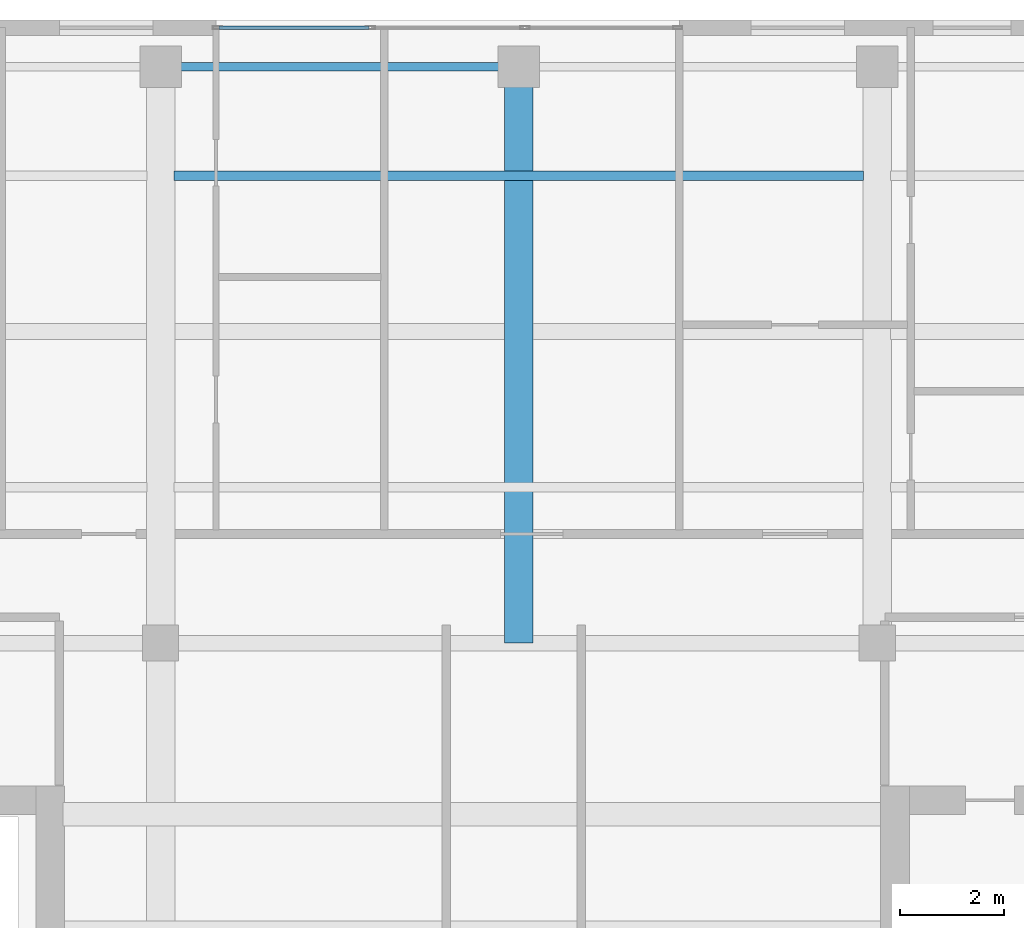
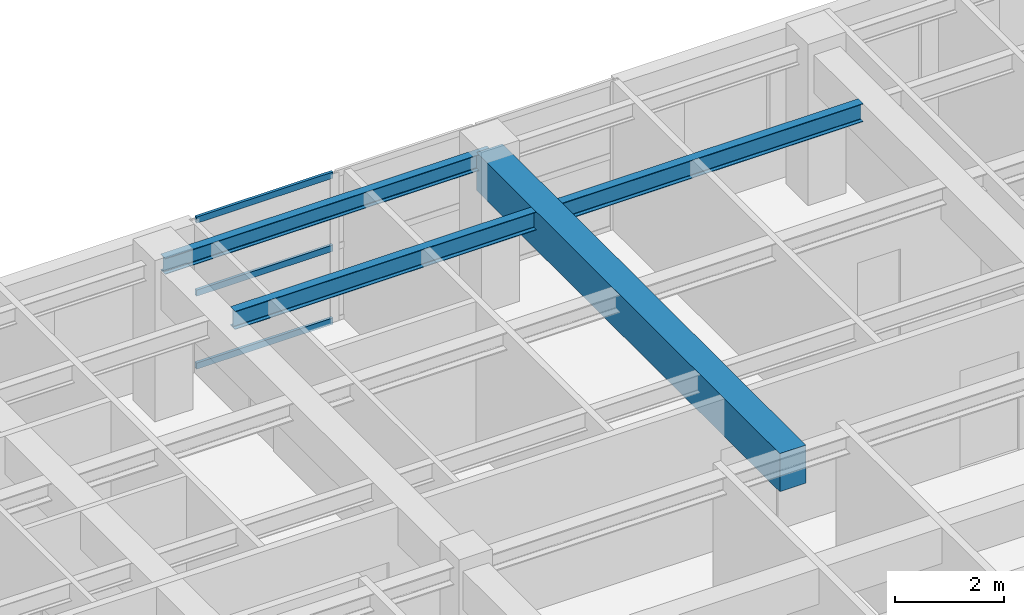
# One storey, part 14 of 21: 3 beams, 3 members, 1 element without a shape of its own.
"""IFC4 building model written with IfcOpenShell, lengths in metres."""

import ifcopenshell
import ifcopenshell.guid

model = None  # the IFC model being written
_history = None  # IfcOwnerHistory: only IFC2X3 demands one
_inside = {}  # id of a spatial element -> (the spatial element, [elements in it])
_under = {}  # id of a project, library or spatial element -> (it, [spatial elements below it])
_declared = {}  # id of a project -> (the project, [libraries it declares])
_typed = {}  # id of a type object -> (the type object, [elements of that type])
_made_of = {}  # id of a material, layer set ... -> (it, [elements and type objects made of it])


def new_model(schema):
    """Start an empty IFC model of exactly this schema.

    Asked for "IFC4X3", IfcOpenShell would pick the latest addendum, in which some entities
    have other attributes; the version numbers below select the first issue.
    IFC2X3 requires an IfcOwnerHistory on every rooted entity: one is made here for all.
    """
    global model, _history
    if schema == "IFC4X3":
        model = ifcopenshell.file(schema_version=(4, 3, 0, 0))
    else:
        model = ifcopenshell.file(schema=schema)
    _inside.clear()
    _under.clear()
    _declared.clear()
    _typed.clear()
    _made_of.clear()
    _history = None
    if model.schema == "IFC2X3":
        org = make("IfcOrganization", Name="unknown")
        user = make(
            "IfcPersonAndOrganization",
            ThePerson=make("IfcPerson", FamilyName="unknown"),
            TheOrganization=org,
        )
        app = make(
            "IfcApplication",
            ApplicationDeveloper=org,
            Version="unknown",
            ApplicationFullName="unknown",
            ApplicationIdentifier="unknown",
        )
        _history = make(
            "IfcOwnerHistory",
            OwningUser=user,
            OwningApplication=app,
            ChangeAction="ADDED",
            CreationDate=0,
        )
    return model


def make(cls, **values):
    """One entity of the class cls with the attributes given. An attribute that is None is left unset."""
    return model.create_entity(
        cls, **{name: value for name, value in values.items() if value is not None}
    )


def rooted(cls, **values):
    """An entity with a GlobalId (a new one), such as an element, a storey or a relation."""
    return make(cls, GlobalId=ifcopenshell.guid.new(), OwnerHistory=_history, **values)


def si_unit(unit_type, name, prefix=None):
    """IfcSIUnit, for example si_unit("LENGTHUNIT", "METRE", prefix="MILLI")."""
    return make("IfcSIUnit", UnitType=unit_type, Prefix=prefix, Name=name)


def assignment(units):
    """IfcUnitAssignment: the units of a project."""
    return None if units is None else make("IfcUnitAssignment", Units=units)


def point(xyz):
    """IfcCartesianPoint."""
    return None if xyz is None else make("IfcCartesianPoint", Coordinates=xyz)


def direction(xyz):
    """IfcDirection."""
    return None if xyz is None else make("IfcDirection", DirectionRatios=xyz)


def frame(location, z_axis=None, x_axis=None):
    """IfcAxis2Placement3D, a coordinate frame: its origin and axes. An axis left out is left unset."""
    return make(
        "IfcAxis2Placement3D",
        Location=point(location),
        Axis=direction(z_axis),
        RefDirection=direction(x_axis),
    )


def frame_2d(location, x_axis=None):
    """IfcAxis2Placement2D, a coordinate frame in the plane: its origin and x axis."""
    return make(
        "IfcAxis2Placement2D", Location=point(location), RefDirection=direction(x_axis)
    )


def origin():
    """The frame at (0, 0, 0) with its axes left unset."""
    return frame((0.0, 0.0, 0.0))


def origin_2d():
    """The frame at (0, 0) in the plane with its x axis left unset."""
    return frame_2d((0.0, 0.0))


def place(relative_to, where):
    """IfcLocalPlacement: puts the frame where relative to a parent placement (None: the world)."""
    return make(
        "IfcLocalPlacement", PlacementRelTo=relative_to, RelativePlacement=where
    )


def context(
    kind, dimensions, precision=None, world=None, true_north=None, identifier=None
):
    """IfcGeometricRepresentationContext, for example the 3D "Model" context."""
    return make(
        "IfcGeometricRepresentationContext",
        ContextIdentifier=identifier,
        ContextType=kind,
        CoordinateSpaceDimension=dimensions,
        Precision=precision,
        WorldCoordinateSystem=world,
        TrueNorth=true_north,
    )


def subcontext(parent, identifier, kind, view, scale=None):
    """IfcGeometricRepresentationSubContext, for example "Body" below "Model"."""
    return make(
        "IfcGeometricRepresentationSubContext",
        ContextIdentifier=identifier,
        ContextType=kind,
        ParentContext=parent,
        TargetScale=scale,
        TargetView=view,
    )


def project(units=None, contexts=None):
    """IfcProject with its units and contexts."""
    return rooted(
        "IfcProject",
        Name="project",
        RepresentationContexts=contexts,
        UnitsInContext=assignment(units),
    )


def spatial(cls, under=None, at=None, **own):
    """A site, building, storey or space (cls), placed at a placement, below another one or the project."""
    s = rooted(cls, ObjectPlacement=at, **own)
    if under is not None:
        _under.setdefault(under.id(), (under, []))[1].append(s)
    return s


def profile(cls, at=None, kind="AREA", **sizes):
    """A parametric profile (cls). Its sizes go by their IFC names, for example OverallWidth=200.0."""
    return make(cls, ProfileType=kind, Position=at, **sizes)


def rectangle(**sizes):
    """IfcRectangleProfileDef."""
    return profile("IfcRectangleProfileDef", **sizes)


def hollow_rectangle(**sizes):
    """IfcRectangleHollowProfileDef."""
    return profile("IfcRectangleHollowProfileDef", **sizes)


def i_section(**sizes):
    """IfcIShapeProfileDef."""
    return profile("IfcIShapeProfileDef", **sizes)


def extrude(swept, where, along, depth):
    """IfcExtrudedAreaSolid: the profile swept, set in the frame where, extruded along a direction by depth."""
    return make(
        "IfcExtrudedAreaSolid",
        SweptArea=swept,
        Position=where,
        ExtrudedDirection=direction(along),
        Depth=depth,
    )


def shape(context_of_items, identifier, shape_type, items):
    """IfcShapeRepresentation: the items that make up one representation, for example the "Body"."""
    return make(
        "IfcShapeRepresentation",
        ContextOfItems=context_of_items,
        RepresentationIdentifier=identifier,
        RepresentationType=shape_type,
        Items=items,
    )


def source(mapping_origin, context_of_items, identifier, shape_type, items):
    """IfcRepresentationMap: a shape defined once, which mapped items show again and again."""
    return make(
        "IfcRepresentationMap",
        MappingOrigin=mapping_origin,
        MappedRepresentation=shape(context_of_items, identifier, shape_type, items),
    )


def transform(
    local_origin,
    x_axis=None,
    y_axis=None,
    z_axis=None,
    scale=None,
    scale2=None,
    scale3=None,
    uniform=True,
):
    """IfcCartesianTransformationOperator3D, or its non-uniform kind. x_axis, y_axis, z_axis: its Axis1, 2, 3."""
    if uniform:
        return make(
            "IfcCartesianTransformationOperator3D",
            Axis1=direction(x_axis),
            Axis2=direction(y_axis),
            LocalOrigin=point(local_origin),
            Scale=scale,
            Axis3=direction(z_axis),
        )
    return make(
        "IfcCartesianTransformationOperator3DnonUniform",
        Axis1=direction(x_axis),
        Axis2=direction(y_axis),
        LocalOrigin=point(local_origin),
        Scale=scale,
        Axis3=direction(z_axis),
        Scale2=scale2,
        Scale3=scale3,
    )


def mapped(mapping_source, mapping_target):
    """IfcMappedItem: shows the shape of a source again, moved by a transform."""
    return make(
        "IfcMappedItem", MappingSource=mapping_source, MappingTarget=mapping_target
    )


def material(Name=None, Category=None):
    """IfcMaterial."""
    return make("IfcMaterial", Name=Name, Category=Category)


def layer(
    of_material, thickness, ventilated=None, Name=None, Category=None, Priority=None
):
    """IfcMaterialLayer: one layer of a wall or slab, of a material (None: an air gap)."""
    return make(
        "IfcMaterialLayer",
        Material=of_material,
        LayerThickness=thickness,
        IsVentilated=ventilated,
        Name=Name,
        Category=Category,
        Priority=Priority,
    )


def layer_set(layers, Name=None):
    """IfcMaterialLayerSet."""
    return make("IfcMaterialLayerSet", MaterialLayers=layers, LayerSetName=Name)


def material_profile(
    of_material, cross_section, Name=None, Category=None, Priority=None
):
    """IfcMaterialProfile: a cross section and its material."""
    return make(
        "IfcMaterialProfile",
        Name=Name,
        Material=of_material,
        Profile=cross_section,
        Priority=Priority,
        Category=Category,
    )


def profile_set(profiles, Name=None, composite=None):
    """IfcMaterialProfileSet."""
    return make(
        "IfcMaterialProfileSet",
        Name=Name,
        MaterialProfiles=profiles,
        CompositeProfile=composite,
    )


def made_of(thing, what):
    """Note that an element or type object is made of a material, layer set ...; save() writes the relation."""
    if what is not None:
        _made_of.setdefault(what.id(), (what, []))[1].append(thing)
    return thing


def type_object(cls, material=None, **own):
    """A type object (cls), such as IfcWallType, which elements share."""
    return made_of(rooted(cls, **own), material)


def element(
    cls,
    number,
    at=None,
    inside=None,
    cuts=None,
    type_object=None,
    material=None,
    context=None,
    identifier="Body",
    shape_type=None,
    held_by="IfcProductDefinitionShape",
    body=None,
    shapes=None,
    **own,
):
    """One element of the class cls, such as IfcWall. Its Tag is "e" and its number.

    at: its placement. inside: the storey or other place that contains it. cuts: it is an
    opening in that element (IfcRelVoidsElement). A single representation is given by context,
    identifier, shape_type and body (its items); several are given by shapes. held_by: the class
    of the entity that holds the representations. save() writes the other relations.
    """
    e = rooted(cls, Tag="e%d" % number, ObjectPlacement=at, **own)
    if body is not None:
        shapes = [shape(context, identifier, shape_type, body)]
    if shapes is not None:
        e.Representation = make(held_by, Representations=shapes)
    if inside is not None:
        _inside.setdefault(inside.id(), (inside, []))[1].append(e)
    if cuts is not None:
        rooted(
            "IfcRelVoidsElement", RelatingBuildingElement=cuts, RelatedOpeningElement=e
        )
    if type_object is not None:
        _typed.setdefault(type_object.id(), (type_object, []))[1].append(e)
    return made_of(e, material)


def aggregate(whole, parts):
    """IfcRelAggregates: a whole, such as a stair, and the parts it consists of."""
    return rooted("IfcRelAggregates", RelatingObject=whole, RelatedObjects=parts)


def save(model, path):
    """Write the relations noted so far, then the file.

    IfcRelAggregates (storeys below a building ...), IfcRelContainedInSpatialStructure (elements
    in a storey), IfcRelDefinesByType, IfcRelAssociatesMaterial and IfcRelDeclares: one each for
    every whole, place, type object, material and project.
    """
    for whole, parts in _under.values():
        aggregate(whole, parts)
    for where, things in _inside.values():
        rooted(
            "IfcRelContainedInSpatialStructure",
            RelatedElements=things,
            RelatingStructure=where,
        )
    for kind, things in _typed.values():
        rooted("IfcRelDefinesByType", RelatedObjects=things, RelatingType=kind)
    for what, things in _made_of.values():
        rooted("IfcRelAssociatesMaterial", RelatedObjects=things, RelatingMaterial=what)
    for by, libraries in _declared.values():
        rooted("IfcRelDeclares", RelatingContext=by, RelatedDefinitions=libraries)
    model.write(path)


model = new_model("IFC4")

# Units and contexts
model_context = context("Model", 3, precision=1e-05, world=origin(), true_north=direction((0.0, 1.0)))
body_context = subcontext(model_context, "Body", "Model", "MODEL_VIEW")
ifc_project = project(units=[si_unit("LENGTHUNIT", "METRE"), si_unit("AREAUNIT", "SQUARE_METRE"), si_unit("VOLUMEUNIT", "CUBIC_METRE"), si_unit("PLANEANGLEUNIT", "RADIAN"), si_unit("MASSUNIT", "GRAM", prefix="KILO")], contexts=[model_context])

# Site, building, storey
site_placement = place(None, origin())
site = spatial("IfcSite", under=ifc_project, at=site_placement, CompositionType="ELEMENT")
building_placement = place(site_placement, origin())
building = spatial("IfcBuilding", under=site, at=building_placement, Name="Khoralis Quay Care Tower", CompositionType="ELEMENT")
storey_placement = place(building_placement, frame((0.0, 0.0, 267.300048828125)))
storey = spatial("IfcBuildingStorey", under=building, at=storey_placement, Name="L70", CompositionType="ELEMENT", Elevation=267.300048828125)

# Beams
ifc_material_1 = material(Name="Concrete C50/60", Category="concrete")
ifc_material_profile_1 = material_profile(ifc_material_1, rectangle(XDim=0.550048828125, YDim=0.85009765625, at=origin_2d()), Name="Concrete C50/60")
ifc_profile_set_1 = profile_set([ifc_material_profile_1], Name="Concrete C50/60")
beam_type_1 = type_object("IfcBeamType", Name="BM-RC550X850", PredefinedType="BEAM", material=ifc_profile_set_1)
shared_shape_1 = source(origin(), body_context, "Body", "SweptSolid", [
    extrude(rectangle(XDim=0.550048828125, YDim=0.85009765625, at=origin_2d()), origin(), (0.0, 0.0, 1.0), 11.10009765625),
])
beam_1_placement = place(storey_placement, frame((24.0, 30.0, 2.89501953125), z_axis=(0.0, 1.0, 0.0), x_axis=(-1.0, 0.0, 0.0)))
element("IfcBeam", 1, at=beam_1_placement, inside=storey, type_object=beam_type_1, Name="BM-TGYN-L70-240", PredefinedType="BEAM", context=body_context, shape_type="MappedRepresentation", body=[
    mapped(shared_shape_1, transform((0.0, 0.0, 0.0), scale=1.0)),
])
ifc_material_2 = material(Name="Steel S355", Category="steel")
ifc_material_profile_2 = material_profile(ifc_material_2, i_section(OverallWidth=0.169921875, OverallDepth=0.360107421875, WebThickness=0.008056640625, FlangeThickness=0.0126953125, FilletRadius=0.01806640625, at=origin_2d()), Name="Steel S355")
ifc_profile_set_2 = profile_set([ifc_material_profile_2], Name="Steel S355")
beam_type_2 = type_object("IfcBeamType", Name="BM-IPE360", PredefinedType="SPANDREL", material=ifc_profile_set_2)
shared_shape_2 = source(origin(), body_context, "Body", "SweptSolid", [
    extrude(i_section(OverallWidth=0.169921875, OverallDepth=0.360107421875, WebThickness=0.008056640625, FlangeThickness=0.0126953125, FilletRadius=0.01806640625, at=origin_2d()), origin(), (0.0, 0.0, 1.0), 6.89990234375),
])
beam_2_placement = place(storey_placement, frame((17.10009765625, 41.10009765625, 3.139892578125), z_axis=(1.0, 0.0, 0.0), x_axis=(0.0, 1.0, 0.0)))
element("IfcBeam", 2, at=beam_2_placement, inside=storey, type_object=beam_type_2, Name="BM-TSP-L70-06", PredefinedType="SPANDREL", context=body_context, shape_type="MappedRepresentation", body=[
    mapped(shared_shape_2, transform((0.0, 0.0, 0.0), scale=1.0)),
])
ifc_material_profile_3 = material_profile(ifc_material_2, i_section(OverallWidth=0.177978515625, OverallDepth=0.406982421875, WebThickness=0.0078125, FlangeThickness=0.0126953125, FilletRadius=0.012939453125, at=origin_2d()), Name="Steel S355")
ifc_profile_set_3 = profile_set([ifc_material_profile_3], Name="Steel S355")
beam_type_3 = type_object("IfcBeamType", Name="BM-W410X60", PredefinedType="JOIST", material=ifc_profile_set_3)
shared_shape_3 = source(origin(), body_context, "Body", "SweptSolid", [
    extrude(i_section(OverallWidth=0.177978515625, OverallDepth=0.406982421875, WebThickness=0.0078125, FlangeThickness=0.0126953125, FilletRadius=0.012939453125, at=origin_2d()), origin(), (0.0, 0.0, 1.0), 13.27392578125),
])
beam_3_placement = place(storey_placement, frame((17.363037109375, 39.0, 3.116455078125), z_axis=(1.0, 0.0, 0.0), x_axis=(0.0, 1.0, 0.0)))
element("IfcBeam", 3, at=beam_3_placement, inside=storey, type_object=beam_type_3, Name="BM-TJS-L70-29", PredefinedType="JOIST", context=body_context, shape_type="MappedRepresentation", body=[
    mapped(shared_shape_3, transform((0.0, 0.0, 0.0), scale=1.0)),
])

# Curtain wall, members
ifc_material_3 = material(Name="Pale anodised aluminium", Category="aluminium")
ifc_layer = layer(ifc_material_3, 0.159912109375)
ifc_layer_set = layer_set([ifc_layer], Name="Pale anodised aluminium")
curtain_wall_type = type_object("IfcCurtainWallType", Name="CW-SYS-Z3", PredefinedType="NOTDEFINED", material=ifc_layer_set)
curtain_wall_placement = place(storey_placement, origin())
curtain_wall = element("IfcCurtainWall", 4, at=curtain_wall_placement, inside=storey, type_object=curtain_wall_type, Name="L70 Unitised Curtain Wall CW-L70-P1-E10", PredefinedType="NOTDEFINED")
ifc_material_profile_4 = material_profile(ifc_material_3, hollow_rectangle(XDim=0.06005859375, YDim=0.139892578125, WallThickness=0.00390625, at=origin_2d()), Name="Pale anodised aluminium")
ifc_profile_set_4 = profile_set([ifc_material_profile_4], Name="Pale anodised aluminium")
member_type = type_object("IfcMemberType", Name="CW-TRN-140", PredefinedType="USERDEFINED", material=ifc_profile_set_4)
shared_shape_4 = source(origin(), body_context, "Body", "SweptSolid", [
    extrude(hollow_rectangle(XDim=0.06005859375, YDim=0.139892578125, WallThickness=0.00390625, at=origin_2d()), origin(), (0.0, 0.0, 1.0), 2.88427734375),
])
member_1_placement = place(storey_placement, frame((21.111328125, 41.85009765625, 0.030029296875), z_axis=(-1.0, 0.0, 0.0), x_axis=(0.0, -1.0, 0.0)))
member_1 = element("IfcMember", 5, at=member_1_placement, type_object=member_type, Name="CW3 transom 3.1", ObjectType="TRANSOM", PredefinedType="USERDEFINED", context=body_context, shape_type="MappedRepresentation", body=[
    mapped(shared_shape_4, transform((0.0, 0.0, 0.0), scale=1.0)),
])
member_2_placement = place(storey_placement, frame((21.111328125, 41.85009765625, 1.659912109375), z_axis=(-1.0, 0.0, 0.0), x_axis=(0.0, -1.0, 0.0)))
member_2 = element("IfcMember", 6, at=member_2_placement, type_object=member_type, Name="CW3 transom 3.2", ObjectType="TRANSOM", PredefinedType="USERDEFINED", context=body_context, shape_type="MappedRepresentation", body=[
    mapped(shared_shape_4, transform((0.0, 0.0, 0.0), scale=1.0)),
])
member_3_placement = place(storey_placement, frame((21.111328125, 41.85009765625, 3.2900390625), z_axis=(-1.0, 0.0, 0.0), x_axis=(0.0, -1.0, 0.0)))
member_3 = element("IfcMember", 7, at=member_3_placement, type_object=member_type, Name="CW3 transom 3.3", ObjectType="TRANSOM", PredefinedType="USERDEFINED", context=body_context, shape_type="MappedRepresentation", body=[
    mapped(shared_shape_4, transform((0.0, 0.0, 0.0), scale=1.0)),
])
aggregate(curtain_wall, [member_1, member_2, member_3])

save(model, "model.ifc")
